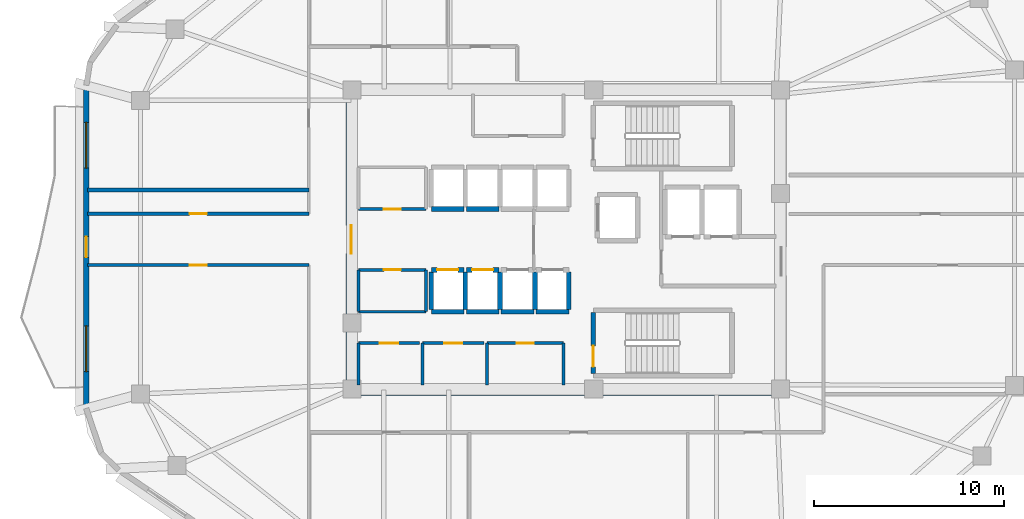
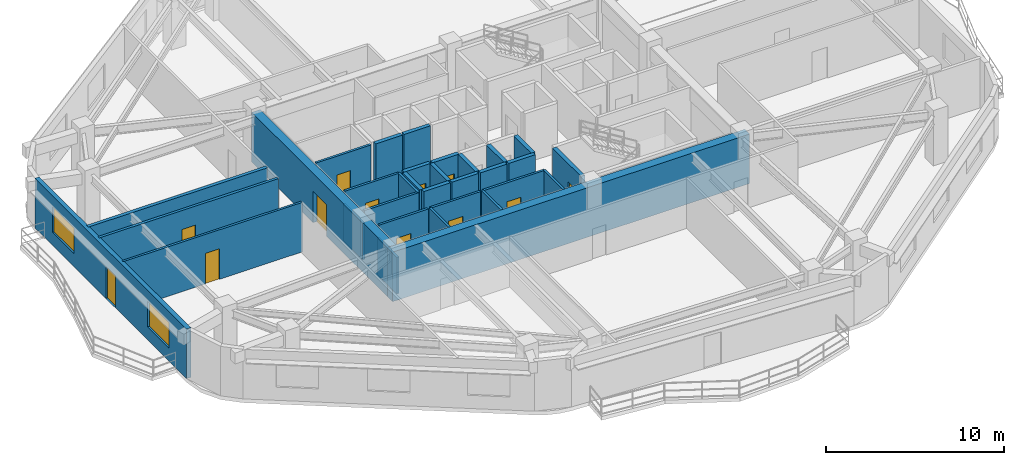
# One storey, part 8 of 14: 32 walls, 12 doors, 2 windows, 14 openings.
"""IFC4 building model written with IfcOpenShell, lengths in metres."""

import ifcopenshell
import ifcopenshell.guid

model = None  # the IFC model being written
_history = None  # IfcOwnerHistory: only IFC2X3 demands one
_inside = {}  # id of a spatial element -> (the spatial element, [elements in it])
_under = {}  # id of a project, library or spatial element -> (it, [spatial elements below it])
_declared = {}  # id of a project -> (the project, [libraries it declares])
_typed = {}  # id of a type object -> (the type object, [elements of that type])
_made_of = {}  # id of a material, layer set ... -> (it, [elements and type objects made of it])


def new_model(schema):
    """Start an empty IFC model of exactly this schema.

    Asked for "IFC4X3", IfcOpenShell would pick the latest addendum, in which some entities
    have other attributes; the version numbers below select the first issue.
    IFC2X3 requires an IfcOwnerHistory on every rooted entity: one is made here for all.
    """
    global model, _history
    if schema == "IFC4X3":
        model = ifcopenshell.file(schema_version=(4, 3, 0, 0))
    else:
        model = ifcopenshell.file(schema=schema)
    _inside.clear()
    _under.clear()
    _declared.clear()
    _typed.clear()
    _made_of.clear()
    _history = None
    if model.schema == "IFC2X3":
        org = make("IfcOrganization", Name="unknown")
        user = make(
            "IfcPersonAndOrganization",
            ThePerson=make("IfcPerson", FamilyName="unknown"),
            TheOrganization=org,
        )
        app = make(
            "IfcApplication",
            ApplicationDeveloper=org,
            Version="unknown",
            ApplicationFullName="unknown",
            ApplicationIdentifier="unknown",
        )
        _history = make(
            "IfcOwnerHistory",
            OwningUser=user,
            OwningApplication=app,
            ChangeAction="ADDED",
            CreationDate=0,
        )
    return model


def make(cls, **values):
    """One entity of the class cls with the attributes given. An attribute that is None is left unset."""
    return model.create_entity(
        cls, **{name: value for name, value in values.items() if value is not None}
    )


def rooted(cls, **values):
    """An entity with a GlobalId (a new one), such as an element, a storey or a relation."""
    return make(cls, GlobalId=ifcopenshell.guid.new(), OwnerHistory=_history, **values)


def si_unit(unit_type, name, prefix=None):
    """IfcSIUnit, for example si_unit("LENGTHUNIT", "METRE", prefix="MILLI")."""
    return make("IfcSIUnit", UnitType=unit_type, Prefix=prefix, Name=name)


def assignment(units):
    """IfcUnitAssignment: the units of a project."""
    return None if units is None else make("IfcUnitAssignment", Units=units)


def point(xyz):
    """IfcCartesianPoint."""
    return None if xyz is None else make("IfcCartesianPoint", Coordinates=xyz)


def direction(xyz):
    """IfcDirection."""
    return None if xyz is None else make("IfcDirection", DirectionRatios=xyz)


def frame(location, z_axis=None, x_axis=None):
    """IfcAxis2Placement3D, a coordinate frame: its origin and axes. An axis left out is left unset."""
    return make(
        "IfcAxis2Placement3D",
        Location=point(location),
        Axis=direction(z_axis),
        RefDirection=direction(x_axis),
    )


def frame_2d(location, x_axis=None):
    """IfcAxis2Placement2D, a coordinate frame in the plane: its origin and x axis."""
    return make(
        "IfcAxis2Placement2D", Location=point(location), RefDirection=direction(x_axis)
    )


def origin():
    """The frame at (0, 0, 0) with its axes left unset."""
    return frame((0.0, 0.0, 0.0))


def place(relative_to, where):
    """IfcLocalPlacement: puts the frame where relative to a parent placement (None: the world)."""
    return make(
        "IfcLocalPlacement", PlacementRelTo=relative_to, RelativePlacement=where
    )


def context(
    kind, dimensions, precision=None, world=None, true_north=None, identifier=None
):
    """IfcGeometricRepresentationContext, for example the 3D "Model" context."""
    return make(
        "IfcGeometricRepresentationContext",
        ContextIdentifier=identifier,
        ContextType=kind,
        CoordinateSpaceDimension=dimensions,
        Precision=precision,
        WorldCoordinateSystem=world,
        TrueNorth=true_north,
    )


def subcontext(parent, identifier, kind, view, scale=None):
    """IfcGeometricRepresentationSubContext, for example "Body" below "Model"."""
    return make(
        "IfcGeometricRepresentationSubContext",
        ContextIdentifier=identifier,
        ContextType=kind,
        ParentContext=parent,
        TargetScale=scale,
        TargetView=view,
    )


def project(units=None, contexts=None):
    """IfcProject with its units and contexts."""
    return rooted(
        "IfcProject",
        Name="project",
        RepresentationContexts=contexts,
        UnitsInContext=assignment(units),
    )


def spatial(cls, under=None, at=None, **own):
    """A site, building, storey or space (cls), placed at a placement, below another one or the project."""
    s = rooted(cls, ObjectPlacement=at, **own)
    if under is not None:
        _under.setdefault(under.id(), (under, []))[1].append(s)
    return s


def profile(cls, at=None, kind="AREA", **sizes):
    """A parametric profile (cls). Its sizes go by their IFC names, for example OverallWidth=200.0."""
    return make(cls, ProfileType=kind, Position=at, **sizes)


def rectangle(**sizes):
    """IfcRectangleProfileDef."""
    return profile("IfcRectangleProfileDef", **sizes)


def extrude(swept, where, along, depth):
    """IfcExtrudedAreaSolid: the profile swept, set in the frame where, extruded along a direction by depth."""
    return make(
        "IfcExtrudedAreaSolid",
        SweptArea=swept,
        Position=where,
        ExtrudedDirection=direction(along),
        Depth=depth,
    )


def shape(context_of_items, identifier, shape_type, items):
    """IfcShapeRepresentation: the items that make up one representation, for example the "Body"."""
    return make(
        "IfcShapeRepresentation",
        ContextOfItems=context_of_items,
        RepresentationIdentifier=identifier,
        RepresentationType=shape_type,
        Items=items,
    )


def material(Name=None, Category=None):
    """IfcMaterial."""
    return make("IfcMaterial", Name=Name, Category=Category)


def layer(
    of_material, thickness, ventilated=None, Name=None, Category=None, Priority=None
):
    """IfcMaterialLayer: one layer of a wall or slab, of a material (None: an air gap)."""
    return make(
        "IfcMaterialLayer",
        Material=of_material,
        LayerThickness=thickness,
        IsVentilated=ventilated,
        Name=Name,
        Category=Category,
        Priority=Priority,
    )


def layer_set(layers, Name=None):
    """IfcMaterialLayerSet."""
    return make("IfcMaterialLayerSet", MaterialLayers=layers, LayerSetName=Name)


def made_of(thing, what):
    """Note that an element or type object is made of a material, layer set ...; save() writes the relation."""
    if what is not None:
        _made_of.setdefault(what.id(), (what, []))[1].append(thing)
    return thing


def type_object(cls, material=None, **own):
    """A type object (cls), such as IfcWallType, which elements share."""
    return made_of(rooted(cls, **own), material)


def element(
    cls,
    number,
    at=None,
    inside=None,
    cuts=None,
    type_object=None,
    material=None,
    context=None,
    identifier="Body",
    shape_type=None,
    held_by="IfcProductDefinitionShape",
    body=None,
    shapes=None,
    **own,
):
    """One element of the class cls, such as IfcWall. Its Tag is "e" and its number.

    at: its placement. inside: the storey or other place that contains it. cuts: it is an
    opening in that element (IfcRelVoidsElement). A single representation is given by context,
    identifier, shape_type and body (its items); several are given by shapes. held_by: the class
    of the entity that holds the representations. save() writes the other relations.
    """
    e = rooted(cls, Tag="e%d" % number, ObjectPlacement=at, **own)
    if body is not None:
        shapes = [shape(context, identifier, shape_type, body)]
    if shapes is not None:
        e.Representation = make(held_by, Representations=shapes)
    if inside is not None:
        _inside.setdefault(inside.id(), (inside, []))[1].append(e)
    if cuts is not None:
        rooted(
            "IfcRelVoidsElement", RelatingBuildingElement=cuts, RelatedOpeningElement=e
        )
    if type_object is not None:
        _typed.setdefault(type_object.id(), (type_object, []))[1].append(e)
    return made_of(e, material)


def fill(opening, filler):
    """IfcRelFillsElement: the door or window that sits in an opening."""
    return rooted(
        "IfcRelFillsElement",
        RelatingOpeningElement=opening,
        RelatedBuildingElement=filler,
    )


def aggregate(whole, parts):
    """IfcRelAggregates: a whole, such as a stair, and the parts it consists of."""
    return rooted("IfcRelAggregates", RelatingObject=whole, RelatedObjects=parts)


def save(model, path):
    """Write the relations noted so far, then the file.

    IfcRelAggregates (storeys below a building ...), IfcRelContainedInSpatialStructure (elements
    in a storey), IfcRelDefinesByType, IfcRelAssociatesMaterial and IfcRelDeclares: one each for
    every whole, place, type object, material and project.
    """
    for whole, parts in _under.values():
        aggregate(whole, parts)
    for where, things in _inside.values():
        rooted(
            "IfcRelContainedInSpatialStructure",
            RelatedElements=things,
            RelatingStructure=where,
        )
    for kind, things in _typed.values():
        rooted("IfcRelDefinesByType", RelatedObjects=things, RelatingType=kind)
    for what, things in _made_of.values():
        rooted("IfcRelAssociatesMaterial", RelatedObjects=things, RelatingMaterial=what)
    for by, libraries in _declared.values():
        rooted("IfcRelDeclares", RelatingContext=by, RelatedDefinitions=libraries)
    model.write(path)


model = new_model("IFC4")

# Units and contexts
model_context = context("Model", 3, precision=1e-05, world=origin(), true_north=direction((0.0, 1.0)))
body_context = subcontext(model_context, "Body", "Model", "MODEL_VIEW")
ifc_project = project(units=[si_unit("LENGTHUNIT", "METRE"), si_unit("AREAUNIT", "SQUARE_METRE"), si_unit("VOLUMEUNIT", "CUBIC_METRE"), si_unit("PLANEANGLEUNIT", "RADIAN"), si_unit("MASSUNIT", "GRAM", prefix="KILO")], contexts=[model_context])

# Site, building, storey
site_placement = place(None, origin())
site = spatial("IfcSite", under=ifc_project, at=site_placement, CompositionType="ELEMENT")
building_placement = place(site_placement, origin())
building = spatial("IfcBuilding", under=site, at=building_placement, Name="Zulverin Broadcast Headquarters", CompositionType="ELEMENT")
storey_placement = place(building_placement, frame((0.0, 0.0, 216.199951171875)))
storey = spatial("IfcBuildingStorey", under=building, at=storey_placement, Name="L55", CompositionType="ELEMENT", Elevation=216.199951171875)

# Walls
ifc_material_1 = material(Name="Double-stud acoustic drywall", Category="gypsum")
ifc_layer_1 = layer(ifc_material_1, 0.219970703125, Name="Double-stud acoustic drywall", Category="gypsum")
ifc_layer_set_1 = layer_set([ifc_layer_1], Name="Double-stud acoustic drywall")
wall_type_1 = type_object("IfcWallType", Name="WL-ACOU-220", PredefinedType="PARTITIONING", material=ifc_layer_set_1)
wall_1_placement = place(storey_placement, frame((11.804931640625, 27.800048828125, 0.0), z_axis=(0.0, 0.0, 1.0), x_axis=(1.0, 0.0, 0.0)))
element("IfcWall", 1, at=wall_1_placement, inside=storey, type_object=wall_type_1, Name="L55 Room Partition Wall RP-14", PredefinedType="PARTITIONING", context=body_context, shape_type="SweptSolid", body=[
    extrude(rectangle(XDim=11.64501953125, YDim=0.219970703125, at=frame_2d((5.822509765625, 0.0))), origin(), (0.0, 0.0, 1.0), 3.400146484375),
])
ifc_material_2 = material(Name="Concrete C60/75", Category="concrete")
ifc_layer_2 = layer(ifc_material_2, 0.550048828125, Name="Concrete C60/75", Category="concrete")
ifc_layer_set_2 = layer_set([ifc_layer_2], Name="Concrete C60/75")
wall_type_2 = type_object("IfcWallType", Name="WL-CORE-550", PredefinedType="SHEAR", material=ifc_layer_set_2)
wall_2_placement = place(storey_placement, frame((25.39990234375, 17.27490234375, 0.0), z_axis=(0.0, 0.0, 1.0), x_axis=(1.0, 0.0, 0.0)))
element("IfcWall", 2, at=wall_2_placement, inside=storey, type_object=wall_type_2, Name="L55 Core South Shear Wall", PredefinedType="SHEAR", context=body_context, shape_type="SweptSolid", body=[
    extrude(rectangle(XDim=23.2001953125, YDim=0.550048828125, at=frame_2d((11.60009765625, 0.0))), origin(), (0.0, 0.0, 1.0), 3.400146484375),
])

# Wall, opening, door
wall_3_placement = place(storey_placement, frame((25.675048828125, 17.550048828125, 0.0), z_axis=(0.0, 0.0, 1.0), x_axis=(0.0, 1.0, 0.0)))
wall_3 = element("IfcWall", 3, at=wall_3_placement, inside=storey, type_object=wall_type_2, Name="L55 Core West Shear Wall", PredefinedType="SHEAR", context=body_context, shape_type="SweptSolid", body=[
    extrude(rectangle(XDim=15.300048828125, YDim=0.550048828125, at=frame_2d((7.64990234375, 0.0))), origin(), (0.0, 0.0, 1.0), 3.400146484375),
])
opening_1_placement = place(wall_3_placement, frame((6.89990234375, 0.0, 0.0)))
opening_1 = element("IfcOpeningElement", 4, at=opening_1_placement, cuts=wall_3, Name="Opening D-L55-CW1", PredefinedType="OPENING", context=body_context, shape_type="SweptSolid", body=[
    extrude(rectangle(XDim=1.5, YDim=2.14990234375, at=frame_2d((0.75, 1.074951171875))), frame((0.0, 0.284912109375, 0.0), z_axis=(0.0, -1.0, 0.0), x_axis=(1.0, 0.0, 0.0)), (0.0, 0.0, 1.0), 0.570068359375),
])
ifc_material_3 = material(Name="Fire-rated glazed steel frame", Category="steel")
door_type_1 = type_object("IfcDoorType", Name="DR-COR-1500", OperationType="DOUBLE_DOOR_SINGLE_SWING", PredefinedType="DOOR", material=ifc_material_3)
door_1_placement = place(opening_1_placement, origin())
door_1 = element("IfcDoor", 5, at=door_1_placement, inside=storey, type_object=door_type_1, Name="L55 Central Lift Lobby West Portal Door", OperationType="DOUBLE_DOOR_SINGLE_SWING", OverallHeight=2.14990234375, OverallWidth=1.5, PredefinedType="DOOR", context=body_context, shape_type="SweptSolid", body=[
    extrude(rectangle(XDim=1.5, YDim=2.14990234375, at=frame_2d((0.75, 1.074951171875))), frame((0.0, 0.02490234375, 0.0), z_axis=(0.0, -1.0, 0.0), x_axis=(1.0, 0.0, 0.0)), (0.0, 0.0, 1.0), 0.050048828125),
])
fill(opening_1, door_1)

# Wall, openings, door, windows
ifc_material_4 = material(Name="Insulated pale-metal clad concrete spandrel C40/50", Category="concrete")
ifc_layer_3 = layer(ifc_material_4, 0.280029296875, Name="Insulated pale-metal clad concrete spandrel C40/50", Category="concrete")
ifc_layer_set_3 = layer_set([ifc_layer_3], Name="Insulated pale-metal clad concrete spandrel C40/50")
wall_type_3 = type_object("IfcWallType", Name="WL-EXT-280", PredefinedType="STANDARD", material=ifc_layer_set_3)
wall_4_placement = place(storey_placement, frame((11.739990234375, 33.34033203125, 0.0), z_axis=(0.0, 0.0, 1.0), x_axis=(0.0, -1.0, 0.0)))
wall_4 = element("IfcWall", 6, at=wall_4_placement, inside=storey, type_object=wall_type_3, Name="L55 Pale-Metal Clad Spandrel Wall 7", PredefinedType="STANDARD", context=body_context, shape_type="SweptSolid", body=[
    extrude(rectangle(XDim=17.07275390625, YDim=0.280029296875, at=frame_2d((8.536376953125, 0.0))), origin(), (0.0, 0.0, 1.0), 3.400146484375),
])
opening_2_placement = place(wall_4_placement, frame((7.986328125, 0.0, 0.0)))
opening_2 = element("IfcOpeningElement", 7, at=opening_2_placement, cuts=wall_4, Name="Opening D-L55-TR7", PredefinedType="OPENING", context=body_context, shape_type="SweptSolid", body=[
    extrude(rectangle(XDim=1.10009765625, YDim=2.199951171875, at=frame_2d((0.550048828125, 1.10009765625))), frame((0.0, 0.14990234375, 0.0), z_axis=(0.0, -1.0, 0.0), x_axis=(1.0, 0.0, 0.0)), (0.0, 0.0, 1.0), 0.300048828125),
])
opening_3_placement = place(wall_4_placement, frame((1.978759765625, 0.0, 0.89990234375)))
opening_3 = element("IfcOpeningElement", 8, at=opening_3_placement, cuts=wall_4, Name="Opening W-L55-E71", PredefinedType="OPENING", context=body_context, shape_type="SweptSolid", body=[
    extrude(rectangle(XDim=2.39990234375, YDim=1.75, at=frame_2d((1.199951171875, 0.875))), frame((0.0, 0.14990234375, 0.0), z_axis=(0.0, -1.0, 0.0), x_axis=(1.0, 0.0, 0.0)), (0.0, 0.0, 1.0), 0.300048828125),
])
opening_4_placement = place(wall_4_placement, frame((12.69384765625, 0.0, 0.89990234375)))
opening_4 = element("IfcOpeningElement", 9, at=opening_4_placement, cuts=wall_4, Name="Opening W-L55-E72", PredefinedType="OPENING", context=body_context, shape_type="SweptSolid", body=[
    extrude(rectangle(XDim=2.39990234375, YDim=1.75, at=frame_2d((1.199951171875, 0.875))), frame((0.0, 0.14990234375, 0.0), z_axis=(0.0, -1.0, 0.0), x_axis=(1.0, 0.0, 0.0)), (0.0, 0.0, 1.0), 0.300048828125),
])
ifc_material_5 = material(Name="Thermally broken aluminium glazed", Category="aluminium")
door_type_2 = type_object("IfcDoorType", Name="DR-TERR-1100", OperationType="SINGLE_SWING_RIGHT", PredefinedType="DOOR", material=ifc_material_5)
door_2_placement = place(opening_2_placement, origin())
door_2 = element("IfcDoor", 10, at=door_2_placement, inside=storey, type_object=door_type_2, Name="L55 Planted Terrace Glazed Access Door 7", OperationType="SINGLE_SWING_RIGHT", OverallHeight=2.199951171875, OverallWidth=1.10009765625, PredefinedType="DOOR", context=body_context, shape_type="SweptSolid", body=[
    extrude(rectangle(XDim=1.10009765625, YDim=2.199951171875, at=frame_2d((0.550048828125, 1.10009765625))), frame((0.0, 0.02490234375, 0.0), z_axis=(0.0, -1.0, 0.0), x_axis=(1.0, 0.0, 0.0)), (0.0, 0.0, 1.0), 0.050048828125),
])
fill(opening_2, door_2)
ifc_material_6 = material(Name="Pale anodized aluminium frame with solar-control low-E double glazing", Category="aluminium")
window_type = type_object("IfcWindowType", Name="WIN-RIB-2400", PartitioningType="SINGLE_PANEL", PredefinedType="WINDOW", material=ifc_material_6)
window_1_placement = place(opening_3_placement, origin())
window_1 = element("IfcWindow", 11, at=window_1_placement, inside=storey, type_object=window_type, Name="L55 Ribbon Glazing Window 7 1", OverallHeight=1.75, OverallWidth=2.39990234375, PartitioningType="SINGLE_PANEL", PredefinedType="WINDOW", context=body_context, shape_type="SweptSolid", body=[
    extrude(rectangle(XDim=2.39990234375, YDim=1.75, at=frame_2d((1.199951171875, 0.875))), frame((0.0, 0.030029296875, 0.0), z_axis=(0.0, -1.0, 0.0), x_axis=(1.0, 0.0, 0.0)), (0.0, 0.0, 1.0), 0.06005859375),
])
fill(opening_3, window_1)
window_2_placement = place(opening_4_placement, origin())
window_2 = element("IfcWindow", 12, at=window_2_placement, inside=storey, type_object=window_type, Name="L55 Ribbon Glazing Window 7 2", OverallHeight=1.75, OverallWidth=2.39990234375, PartitioningType="SINGLE_PANEL", PredefinedType="WINDOW", context=body_context, shape_type="SweptSolid", body=[
    extrude(rectangle(XDim=2.39990234375, YDim=1.75, at=frame_2d((1.199951171875, 0.875))), frame((0.0, 0.030029296875, 0.0), z_axis=(0.0, -1.0, 0.0), x_axis=(1.0, 0.0, 0.0)), (0.0, 0.0, 1.0), 0.06005859375),
])
fill(opening_4, window_2)

# Wall, opening, door
ifc_material_7 = material(Name="Fire-rated gypsum stud partition", Category="gypsum")
ifc_layer_4 = layer(ifc_material_7, 0.14990234375, Name="Fire-rated gypsum stud partition", Category="gypsum")
ifc_layer_set_4 = layer_set([ifc_layer_4], Name="Fire-rated gypsum stud partition")
wall_type_4 = type_object("IfcWallType", Name="WL-PART-150", PredefinedType="PARTITIONING", material=ifc_layer_set_4)
wall_5_placement = place(storey_placement, frame((26.070068359375, 19.75, 0.0), z_axis=(0.0, 0.0, 1.0), x_axis=(1.0, 0.0, 0.0)))
wall_5 = element("IfcWall", 13, at=wall_5_placement, inside=storey, type_object=wall_type_4, Name="L55 Core Male WC Front Wall", PredefinedType="PARTITIONING", context=body_context, shape_type="SweptSolid", body=[
    extrude(rectangle(XDim=3.199951171875, YDim=0.14990234375, at=frame_2d((1.60009765625, 0.0))), origin(), (0.0, 0.0, 1.0), 3.400146484375),
])
opening_5_placement = place(wall_5_placement, frame((1.125, 0.0, 0.0)))
opening_5 = element("IfcOpeningElement", 14, at=opening_5_placement, cuts=wall_5, Name="Opening D-L55-SC1", PredefinedType="OPENING", context=body_context, shape_type="SweptSolid", body=[
    extrude(rectangle(XDim=0.949951171875, YDim=2.10009765625, at=frame_2d((0.47509765625, 1.050048828125))), frame((0.0, 0.0849609375, 0.0), z_axis=(0.0, -1.0, 0.0), x_axis=(1.0, 0.0, 0.0)), (0.0, 0.0, 1.0), 0.169921875),
])
ifc_material_8 = material(Name="Fire-rated moisture-resistant laminate leaf", Category="wood")
door_type_3 = type_object("IfcDoorType", Name="DR-WC-950", OperationType="SINGLE_SWING_LEFT", PredefinedType="DOOR", material=ifc_material_8)
door_3_placement = place(opening_5_placement, origin())
door_3 = element("IfcDoor", 15, at=door_3_placement, inside=storey, type_object=door_type_3, Name="L55 Male WC Door", OperationType="SINGLE_SWING_RIGHT", OverallHeight=2.10009765625, OverallWidth=0.949951171875, PredefinedType="DOOR", context=body_context, shape_type="SweptSolid", body=[
    extrude(rectangle(XDim=0.949951171875, YDim=2.10009765625, at=frame_2d((0.47509765625, 1.050048828125))), frame((0.0, 0.02490234375, 0.0), z_axis=(0.0, -1.0, 0.0), x_axis=(1.0, 0.0, 0.0)), (0.0, 0.0, 1.0), 0.050048828125),
])
fill(opening_5, door_3)

# Wall
wall_6_placement = place(storey_placement, frame((26.070068359375, 17.550048828125, 0.0), z_axis=(0.0, 0.0, 1.0), x_axis=(0.0, 1.0, 0.0)))
element("IfcWall", 16, at=wall_6_placement, inside=storey, type_object=wall_type_4, Name="L55 Core Male WC West Wall", PredefinedType="PARTITIONING", context=body_context, shape_type="SweptSolid", body=[
    extrude(rectangle(XDim=2.199951171875, YDim=0.14990234375, at=frame_2d((1.10009765625, 0.0))), origin(), (0.0, 0.0, 1.0), 2.5),
])

# Wall, opening, door
wall_7_placement = place(storey_placement, frame((29.429931640625, 19.75, 0.0), z_axis=(0.0, 0.0, 1.0), x_axis=(1.0, 0.0, 0.0)))
wall_7 = element("IfcWall", 17, at=wall_7_placement, inside=storey, type_object=wall_type_4, Name="L55 Core Female WC Front Wall", PredefinedType="PARTITIONING", context=body_context, shape_type="SweptSolid", body=[
    extrude(rectangle(XDim=3.239990234375, YDim=0.14990234375, at=frame_2d((1.6201171875, 0.0))), origin(), (0.0, 0.0, 1.0), 3.400146484375),
])
opening_6_placement = place(wall_7_placement, frame((1.14501953125, 0.0, 0.0)))
opening_6 = element("IfcOpeningElement", 18, at=opening_6_placement, cuts=wall_7, Name="Opening D-L55-SC2", PredefinedType="OPENING", context=body_context, shape_type="SweptSolid", body=[
    extrude(rectangle(XDim=0.949951171875, YDim=2.10009765625, at=frame_2d((0.47509765625, 1.050048828125))), frame((0.0, 0.0849609375, 0.0), z_axis=(0.0, -1.0, 0.0), x_axis=(1.0, 0.0, 0.0)), (0.0, 0.0, 1.0), 0.169921875),
])
door_4_placement = place(opening_6_placement, origin())
door_4 = element("IfcDoor", 19, at=door_4_placement, inside=storey, type_object=door_type_3, Name="L55 Female WC Door", OperationType="SINGLE_SWING_LEFT", OverallHeight=2.10009765625, OverallWidth=0.949951171875, PredefinedType="DOOR", context=body_context, shape_type="SweptSolid", body=[
    extrude(rectangle(XDim=0.949951171875, YDim=2.10009765625, at=frame_2d((0.47509765625, 1.050048828125))), frame((0.0, 0.02490234375, 0.0), z_axis=(0.0, -1.0, 0.0), x_axis=(1.0, 0.0, 0.0)), (0.0, 0.0, 1.0), 0.050048828125),
])
fill(opening_6, door_4)

# Wall
wall_8_placement = place(storey_placement, frame((29.429931640625, 17.550048828125, 0.0), z_axis=(0.0, 0.0, 1.0), x_axis=(0.0, 1.0, 0.0)))
element("IfcWall", 20, at=wall_8_placement, inside=storey, type_object=wall_type_4, Name="L55 Core Female WC West Wall", PredefinedType="PARTITIONING", context=body_context, shape_type="SweptSolid", body=[
    extrude(rectangle(XDim=2.199951171875, YDim=0.14990234375, at=frame_2d((1.10009765625, 0.0))), origin(), (0.0, 0.0, 1.0), 3.400146484375),
])

# Wall, opening, door
wall_9_placement = place(storey_placement, frame((32.830078125, 19.75, 0.0), z_axis=(0.0, 0.0, 1.0), x_axis=(1.0, 0.0, 0.0)))
wall_9 = element("IfcWall", 21, at=wall_9_placement, inside=storey, type_object=wall_type_4, Name="L55 Core Cleaner Store Front Wall", PredefinedType="PARTITIONING", context=body_context, shape_type="SweptSolid", body=[
    extrude(rectangle(XDim=4.02001953125, YDim=0.14990234375, at=frame_2d((2.010009765625, 0.0))), origin(), (0.0, 0.0, 1.0), 3.400146484375),
])
opening_7_placement = place(wall_9_placement, frame((1.56005859375, 0.0, 0.0)))
opening_7 = element("IfcOpeningElement", 22, at=opening_7_placement, cuts=wall_9, Name="Opening D-L55-SC3", PredefinedType="OPENING", context=body_context, shape_type="SweptSolid", body=[
    extrude(rectangle(XDim=0.89990234375, YDim=2.10009765625, at=frame_2d((0.449951171875, 1.050048828125))), frame((0.0, 0.0849609375, 0.0), z_axis=(0.0, -1.0, 0.0), x_axis=(1.0, 0.0, 0.0)), (0.0, 0.0, 1.0), 0.169921875),
])
ifc_material_9 = material(Name="Powder-coated steel access leaf", Category="steel")
door_type_4 = type_object("IfcDoorType", Name="DR-RISER-900", OperationType="SINGLE_SWING_LEFT", PredefinedType="DOOR", material=ifc_material_9)
door_5_placement = place(opening_7_placement, origin())
door_5 = element("IfcDoor", 23, at=door_5_placement, inside=storey, type_object=door_type_4, Name="L55 Cleaner Store Door", OperationType="SINGLE_SWING_RIGHT", OverallHeight=2.10009765625, OverallWidth=0.89990234375, PredefinedType="DOOR", context=body_context, shape_type="SweptSolid", body=[
    extrude(rectangle(XDim=0.89990234375, YDim=2.10009765625, at=frame_2d((0.449951171875, 1.050048828125))), frame((0.0, 0.02490234375, 0.0), z_axis=(0.0, -1.0, 0.0), x_axis=(1.0, 0.0, 0.0)), (0.0, 0.0, 1.0), 0.050048828125),
])
fill(opening_7, door_5)

# Walls
for number, where, z_axis, x_axis, name in (
    (24, (32.830078125, 17.550048828125, 0.0), (0.0, 0.0, 1.0), (0.0, 1.0, 0.0), "L55 Core Cleaner Store West Wall"),
    (25, (36.85009765625, 17.550048828125, 0.0), (0.0, 0.0, 1.0), (0.0, 1.0, 0.0), "L55 Core Cleaner Store East Wall"),
):
    element("IfcWall", number, at=place(storey_placement, frame(where, z_axis=z_axis, x_axis=x_axis)), inside=storey, type_object=wall_type_4, Name=name, PredefinedType="PARTITIONING", context=body_context, shape_type="SweptSolid", body=[
        extrude(rectangle(XDim=2.199951171875, YDim=0.14990234375, at=frame_2d((1.10009765625, 0.0))), origin(), (0.0, 0.0, 1.0), 3.400146484375),
    ])

# Wall, opening, door
wall_10_placement = place(storey_placement, frame((26.070068359375, 26.800048828125, 0.0), z_axis=(0.0, 0.0, 1.0), x_axis=(1.0, 0.0, 0.0)))
wall_10 = element("IfcWall", 26, at=wall_10_placement, inside=storey, type_object=wall_type_4, Name="L55 Broadcast Signal Patch Room S Wall", PredefinedType="PARTITIONING", context=body_context, shape_type="SweptSolid", body=[
    extrude(rectangle(XDim=3.550048828125, YDim=0.14990234375, at=frame_2d((1.77490234375, 0.0))), origin(), (0.0, 0.0, 1.0), 3.400146484375),
])
opening_8_placement = place(wall_10_placement, frame((1.324951171875, 0.0, 0.0)))
opening_8 = element("IfcOpeningElement", 27, at=opening_8_placement, cuts=wall_10, Name="Opening D-L55-RCLN", PredefinedType="OPENING", context=body_context, shape_type="SweptSolid", body=[
    extrude(rectangle(XDim=0.89990234375, YDim=2.10009765625, at=frame_2d((0.449951171875, 1.050048828125))), frame((0.0, 0.0849609375, 0.0), z_axis=(0.0, -1.0, 0.0), x_axis=(1.0, 0.0, 0.0)), (0.0, 0.0, 1.0), 0.169921875),
])
door_6_placement = place(opening_8_placement, origin())
door_6 = element("IfcDoor", 28, at=door_6_placement, inside=storey, type_object=door_type_4, Name="L55 Broadcast Signal Patch Room Door", OperationType="SINGLE_SWING_LEFT", OverallHeight=2.10009765625, OverallWidth=0.89990234375, PredefinedType="DOOR", context=body_context, shape_type="SweptSolid", body=[
    extrude(rectangle(XDim=0.89990234375, YDim=2.10009765625, at=frame_2d((0.449951171875, 1.050048828125))), frame((0.0, 0.02490234375, 0.0), z_axis=(0.0, -1.0, 0.0), x_axis=(1.0, 0.0, 0.0)), (0.0, 0.0, 1.0), 0.050048828125),
])
fill(opening_8, door_6)

# Wall
wall_11_placement = place(storey_placement, frame((26.070068359375, 21.39990234375, 0.0), z_axis=(0.0, 0.0, 1.0), x_axis=(1.0, 0.0, 0.0)))
element("IfcWall", 29, at=wall_11_placement, inside=storey, type_object=wall_type_4, Name="L55 Housekeeping Equipment Store S Wall", PredefinedType="PARTITIONING", context=body_context, shape_type="SweptSolid", body=[
    extrude(rectangle(XDim=3.550048828125, YDim=0.14990234375, at=frame_2d((1.77490234375, 0.0))), origin(), (0.0, 0.0, 1.0), 3.400146484375),
])

# Wall, opening, door
wall_12_placement = place(storey_placement, frame((26.070068359375, 23.60009765625, 0.0), z_axis=(0.0, 0.0, 1.0), x_axis=(1.0, 0.0, 0.0)))
wall_12 = element("IfcWall", 30, at=wall_12_placement, inside=storey, type_object=wall_type_4, Name="L55 Housekeeping Equipment Store N Wall", PredefinedType="PARTITIONING", context=body_context, shape_type="SweptSolid", body=[
    extrude(rectangle(XDim=3.550048828125, YDim=0.14990234375, at=frame_2d((1.77490234375, 0.0))), origin(), (0.0, 0.0, 1.0), 3.400146484375),
])
opening_9_placement = place(wall_12_placement, frame((1.324951171875, 0.0, 0.0)))
opening_9 = element("IfcOpeningElement", 31, at=opening_9_placement, cuts=wall_12, Name="Opening D-L55-RCLS", PredefinedType="OPENING", context=body_context, shape_type="SweptSolid", body=[
    extrude(rectangle(XDim=0.89990234375, YDim=2.10009765625, at=frame_2d((0.449951171875, 1.050048828125))), frame((0.0, 0.0849609375, 0.0), z_axis=(0.0, -1.0, 0.0), x_axis=(1.0, 0.0, 0.0)), (0.0, 0.0, 1.0), 0.169921875),
])
door_7_placement = place(opening_9_placement, origin())
door_7 = element("IfcDoor", 32, at=door_7_placement, inside=storey, type_object=door_type_4, Name="L55 Housekeeping Equipment Store Door", OperationType="SINGLE_SWING_RIGHT", OverallHeight=2.10009765625, OverallWidth=0.89990234375, PredefinedType="DOOR", context=body_context, shape_type="SweptSolid", body=[
    extrude(rectangle(XDim=0.89990234375, YDim=2.10009765625, at=frame_2d((0.449951171875, 1.050048828125))), frame((0.0, 0.02490234375, 0.0), z_axis=(0.0, -1.0, 0.0), x_axis=(1.0, 0.0, 0.0)), (0.0, 0.0, 1.0), 0.050048828125),
])
fill(opening_9, door_7)

# Walls
wall_13_placement = place(storey_placement, frame((26.070068359375, 21.39990234375, 0.0), z_axis=(0.0, 0.0, 1.0), x_axis=(0.0, 1.0, 0.0)))
element("IfcWall", 33, at=wall_13_placement, inside=storey, type_object=wall_type_4, Name="L55 Housekeeping Equipment Store W Wall", PredefinedType="PARTITIONING", context=body_context, shape_type="SweptSolid", body=[
    extrude(rectangle(XDim=2.2001953125, YDim=0.14990234375, at=frame_2d((1.10009765625, 0.0))), origin(), (0.0, 0.0, 1.0), 2.5),
])
wall_14_placement = place(storey_placement, frame((29.6201171875, 21.39990234375, 0.0), z_axis=(0.0, 0.0, 1.0), x_axis=(0.0, 1.0, 0.0)))
element("IfcWall", 34, at=wall_14_placement, inside=storey, type_object=wall_type_4, Name="L55 Housekeeping Equipment Store E Wall", PredefinedType="PARTITIONING", context=body_context, shape_type="SweptSolid", body=[
    extrude(rectangle(XDim=2.2001953125, YDim=0.14990234375, at=frame_2d((1.10009765625, 0.0))), origin(), (0.0, 0.0, 1.0), 3.400146484375),
])

# Wall, opening, door
wall_15_placement = place(storey_placement, frame((11.804931640625, 23.85009765625, 0.0), z_axis=(0.0, 0.0, 1.0), x_axis=(1.0, 0.0, 0.0)))
wall_15 = element("IfcWall", 35, at=wall_15_placement, inside=storey, type_object=wall_type_4, Name="L55 Gallery Partition Wall CG-10", PredefinedType="PARTITIONING", context=body_context, shape_type="SweptSolid", body=[
    extrude(rectangle(XDim=11.64501953125, YDim=0.14990234375, at=frame_2d((5.822509765625, 0.0))), origin(), (0.0, 0.0, 1.0), 3.400146484375),
])
opening_10_placement = place(wall_15_placement, frame((5.37255859375, 0.0, 0.0)))
opening_10 = element("IfcOpeningElement", 36, at=opening_10_placement, cuts=wall_15, Name="Opening D-L55-06", PredefinedType="OPENING", context=body_context, shape_type="SweptSolid", body=[
    extrude(rectangle(XDim=0.89990234375, YDim=2.10009765625, at=frame_2d((0.449951171875, 1.050048828125))), frame((0.0, 0.0849609375, 0.0), z_axis=(0.0, -1.0, 0.0), x_axis=(1.0, 0.0, 0.0)), (0.0, 0.0, 1.0), 0.169921875),
])
ifc_material_10 = material(Name="Fire-rated hardwood veneer timber leaf", Category="wood")
door_type_5 = type_object("IfcDoorType", Name="DR-ROOM-900", OperationType="SINGLE_SWING_RIGHT", PredefinedType="DOOR", material=ifc_material_10)
door_8_placement = place(opening_10_placement, origin())
door_8 = element("IfcDoor", 37, at=door_8_placement, inside=storey, type_object=door_type_5, Name="L55 Coffee Bar Door", OperationType="SINGLE_SWING_LEFT", OverallHeight=2.10009765625, OverallWidth=0.89990234375, PredefinedType="DOOR", context=body_context, shape_type="SweptSolid", body=[
    extrude(rectangle(XDim=0.89990234375, YDim=2.10009765625, at=frame_2d((0.449951171875, 1.050048828125))), frame((0.0, 0.02490234375, 0.0), z_axis=(0.0, -1.0, 0.0), x_axis=(1.0, 0.0, 0.0)), (0.0, 0.0, 1.0), 0.050048828125),
])
fill(opening_10, door_8)

ifc_material_11 = material(Name="Fire-rated acoustic stud wall", Category="gypsum")
ifc_layer_5 = layer(ifc_material_11, 0.175048828125, Name="Fire-rated acoustic stud wall", Category="gypsum")
ifc_layer_set_5 = layer_set([ifc_layer_5], Name="Fire-rated acoustic stud wall")
wall_type_5 = type_object("IfcWallType", Name="WL-PART-175", PredefinedType="PARTITIONING", material=ifc_layer_set_5)
wall_16_placement = place(storey_placement, frame((11.804931640625, 26.550048828125, 0.0), z_axis=(0.0, 0.0, 1.0), x_axis=(1.0, 0.0, 0.0)))
wall_16 = element("IfcWall", 38, at=wall_16_placement, inside=storey, type_object=wall_type_5, Name="L55 Gallery Partition Wall CG-12", PredefinedType="PARTITIONING", context=body_context, shape_type="SweptSolid", body=[
    extrude(rectangle(XDim=11.64501953125, YDim=0.175048828125, at=frame_2d((5.822509765625, 0.0))), origin(), (0.0, 0.0, 1.0), 3.400146484375),
])
opening_11_placement = place(wall_16_placement, frame((5.37255859375, 0.0, 0.0)))
opening_11 = element("IfcOpeningElement", 39, at=opening_11_placement, cuts=wall_16, Name="Opening D-L55-07", PredefinedType="OPENING", context=body_context, shape_type="SweptSolid", body=[
    extrude(rectangle(XDim=0.89990234375, YDim=2.10009765625, at=frame_2d((0.449951171875, 1.050048828125))), frame((0.0, 0.097412109375, 0.0), z_axis=(0.0, -1.0, 0.0), x_axis=(1.0, 0.0, 0.0)), (0.0, 0.0, 1.0), 0.195068359375),
])
door_9_placement = place(opening_11_placement, origin())
door_9 = element("IfcDoor", 40, at=door_9_placement, inside=storey, type_object=door_type_5, Name="L55 Main Catering Servery Door", OperationType="SINGLE_SWING_RIGHT", OverallHeight=2.10009765625, OverallWidth=0.89990234375, PredefinedType="DOOR", context=body_context, shape_type="SweptSolid", body=[
    extrude(rectangle(XDim=0.89990234375, YDim=2.10009765625, at=frame_2d((0.449951171875, 1.050048828125))), frame((0.0, 0.02490234375, 0.0), z_axis=(0.0, -1.0, 0.0), x_axis=(1.0, 0.0, 0.0)), (0.0, 0.0, 1.0), 0.050048828125),
])
fill(opening_11, door_9)

ifc_material_12 = material(Name="Concrete C50/60", Category="concrete")
ifc_layer_6 = layer(ifc_material_12, 0.25, Name="Concrete C50/60", Category="concrete")
ifc_layer_set_6 = layer_set([ifc_layer_6], Name="Concrete C50/60")
wall_type_6 = type_object("IfcWallType", Name="WL-SHAFT-250", PredefinedType="SHEAR", material=ifc_layer_set_6)
wall_17_placement = place(storey_placement, frame((38.425048828125, 18.14990234375, 0.0), z_axis=(0.0, 0.0, 1.0), x_axis=(0.0, 1.0, 0.0)))
wall_17 = element("IfcWall", 41, at=wall_17_placement, inside=storey, type_object=wall_type_6, Name="L55 ST-2 Enclosure Wall W", PredefinedType="SHEAR", context=body_context, shape_type="SweptSolid", body=[
    extrude(rectangle(XDim=3.2001953125, YDim=0.25, at=frame_2d((1.60009765625, 0.0))), origin(), (0.0, 0.0, 1.0), 3.400146484375),
])
opening_12_placement = place(wall_17_placement, frame((0.35009765625, 0.0, 0.0)))
opening_12 = element("IfcOpeningElement", 42, at=opening_12_placement, cuts=wall_17, Name="Opening D-L55-ST-2", PredefinedType="OPENING", context=body_context, shape_type="SweptSolid", body=[
    extrude(rectangle(XDim=1.10009765625, YDim=2.14990234375, at=frame_2d((0.550048828125, 1.074951171875))), frame((0.0, 0.135009765625, 0.0), z_axis=(0.0, -1.0, 0.0), x_axis=(1.0, 0.0, 0.0)), (0.0, 0.0, 1.0), 0.27001953125),
])
ifc_material_13 = material(Name="Fire-rated steel leaf and frame", Category="steel")
door_type_6 = type_object("IfcDoorType", Name="DR-STAIR-1100", OperationType="SINGLE_SWING_LEFT", PredefinedType="DOOR", material=ifc_material_13)
door_10_placement = place(opening_12_placement, origin())
door_10 = element("IfcDoor", 43, at=door_10_placement, inside=storey, type_object=door_type_6, Name="L55 Exit Stair ST-2 Fire Door", OperationType="SINGLE_SWING_RIGHT", OverallHeight=2.14990234375, OverallWidth=1.10009765625, PredefinedType="DOOR", context=body_context, shape_type="SweptSolid", body=[
    extrude(rectangle(XDim=1.10009765625, YDim=2.14990234375, at=frame_2d((0.550048828125, 1.074951171875))), frame((0.0, 0.02490234375, 0.0), z_axis=(0.0, -1.0, 0.0), x_axis=(1.0, 0.0, 0.0)), (0.0, 0.0, 1.0), 0.050048828125),
])
fill(opening_12, door_10)

# Wall
wall_18_placement = place(storey_placement, frame((29.89990234375, 21.39990234375, 0.0), z_axis=(0.0, 0.0, 1.0), x_axis=(1.0, 0.0, 0.0)))
element("IfcWall", 44, at=wall_18_placement, inside=storey, type_object=wall_type_6, Name="L55 Lift PL-M1 Shaft Wall S", PredefinedType="SHEAR", context=body_context, shape_type="SweptSolid", body=[
    extrude(rectangle(XDim=1.72021484375, YDim=0.25, at=frame_2d((0.860107421875, 0.0))), origin(), (0.0, 0.0, 1.0), 3.400146484375),
])

# Wall, opening, door
wall_19_placement = place(storey_placement, frame((29.89990234375, 23.60009765625, 0.0), z_axis=(0.0, 0.0, 1.0), x_axis=(1.0, 0.0, 0.0)))
wall_19 = element("IfcWall", 45, at=wall_19_placement, inside=storey, type_object=wall_type_6, Name="L55 Lift PL-M1 Shaft Wall N", PredefinedType="SHEAR", context=body_context, shape_type="SweptSolid", body=[
    extrude(rectangle(XDim=1.72021484375, YDim=0.25, at=frame_2d((0.860107421875, 0.0))), origin(), (0.0, 0.0, 1.0), 3.400146484375),
])
opening_13_placement = place(wall_19_placement, frame((0.31005859375, 0.0, 0.0)))
opening_13 = element("IfcOpeningElement", 46, at=opening_13_placement, cuts=wall_19, Name="Opening LD-PL-M1-L55", PredefinedType="OPENING", context=body_context, shape_type="SweptSolid", body=[
    extrude(rectangle(XDim=1.10009765625, YDim=2.14990234375, at=frame_2d((0.550048828125, 1.074951171875))), frame((0.0, 0.135009765625, 0.0), z_axis=(0.0, -1.0, 0.0), x_axis=(1.0, 0.0, 0.0)), (0.0, 0.0, 1.0), 0.27001953125),
])
ifc_material_14 = material(Name="Brushed stainless steel landing", Category="steel")
door_type_7 = type_object("IfcDoorType", Name="LD-PASS-1100", OperationType="DOUBLE_DOOR_SLIDING", PredefinedType="DOOR", material=ifc_material_14)
door_11_placement = place(opening_13_placement, origin())
door_11 = element("IfcDoor", 47, at=door_11_placement, inside=storey, type_object=door_type_7, Name="L55 Lift PL-M1 Sliding Landing Door", OperationType="DOUBLE_DOOR_SLIDING", OverallHeight=2.14990234375, OverallWidth=1.10009765625, PredefinedType="DOOR", context=body_context, shape_type="SweptSolid", body=[
    extrude(rectangle(XDim=1.10009765625, YDim=2.14990234375, at=frame_2d((0.550048828125, 1.074951171875))), frame((0.0, 0.02490234375, 0.0), z_axis=(0.0, -1.0, 0.0), x_axis=(1.0, 0.0, 0.0)), (0.0, 0.0, 1.0), 0.050048828125),
])
fill(opening_13, door_11)

# Walls
for number, where, z_axis, x_axis, name in (
    (48, (29.89990234375, 21.52001953125, 0.0), (0.0, 0.0, 1.0), (0.0, 1.0, 0.0), "L55 Lift PL-M1 Shaft Wall W"),
    (49, (31.679931640625, 21.52001953125, 0.0), (0.0, 0.0, 1.0), (0.0, 1.0, 0.0), "L55 Lift PL-M1 Shaft Wall E"),
):
    element("IfcWall", number, at=place(storey_placement, frame(where, z_axis=z_axis, x_axis=x_axis)), inside=storey, type_object=wall_type_6, Name=name, PredefinedType="SHEAR", context=body_context, shape_type="SweptSolid", body=[
        extrude(rectangle(XDim=1.9599609375, YDim=0.25, at=frame_2d((0.97998046875, 0.0))), origin(), (0.0, 0.0, 1.0), 3.400146484375),
    ])
wall_20_placement = place(storey_placement, frame((31.739990234375, 21.39990234375, 0.0), z_axis=(0.0, 0.0, 1.0), x_axis=(1.0, 0.0, 0.0)))
element("IfcWall", 50, at=wall_20_placement, inside=storey, type_object=wall_type_6, Name="L55 Lift PL-M2 Shaft Wall S", PredefinedType="SHEAR", context=body_context, shape_type="SweptSolid", body=[
    extrude(rectangle(XDim=1.719970703125, YDim=0.25, at=frame_2d((0.85986328125, 0.0))), origin(), (0.0, 0.0, 1.0), 3.400146484375),
])

# Wall, opening, door
wall_21_placement = place(storey_placement, frame((31.739990234375, 23.60009765625, 0.0), z_axis=(0.0, 0.0, 1.0), x_axis=(1.0, 0.0, 0.0)))
wall_21 = element("IfcWall", 51, at=wall_21_placement, inside=storey, type_object=wall_type_6, Name="L55 Lift PL-M2 Shaft Wall N", PredefinedType="SHEAR", context=body_context, shape_type="SweptSolid", body=[
    extrude(rectangle(XDim=1.719970703125, YDim=0.25, at=frame_2d((0.85986328125, 0.0))), origin(), (0.0, 0.0, 1.0), 3.400146484375),
])
opening_14_placement = place(wall_21_placement, frame((0.31005859375, 0.0, 0.0)))
opening_14 = element("IfcOpeningElement", 52, at=opening_14_placement, cuts=wall_21, Name="Opening LD-PL-M2-L55", PredefinedType="OPENING", context=body_context, shape_type="SweptSolid", body=[
    extrude(rectangle(XDim=1.10009765625, YDim=2.14990234375, at=frame_2d((0.550048828125, 1.074951171875))), frame((0.0, 0.135009765625, 0.0), z_axis=(0.0, -1.0, 0.0), x_axis=(1.0, 0.0, 0.0)), (0.0, 0.0, 1.0), 0.27001953125),
])
door_12_placement = place(opening_14_placement, origin())
door_12 = element("IfcDoor", 53, at=door_12_placement, inside=storey, type_object=door_type_7, Name="L55 Lift PL-M2 Sliding Landing Door", OperationType="DOUBLE_DOOR_SLIDING", OverallHeight=2.14990234375, OverallWidth=1.10009765625, PredefinedType="DOOR", context=body_context, shape_type="SweptSolid", body=[
    extrude(rectangle(XDim=1.10009765625, YDim=2.14990234375, at=frame_2d((0.550048828125, 1.074951171875))), frame((0.0, 0.02490234375, 0.0), z_axis=(0.0, -1.0, 0.0), x_axis=(1.0, 0.0, 0.0)), (0.0, 0.0, 1.0), 0.050048828125),
])
fill(opening_14, door_12)

# Walls
wall_22_placement = place(storey_placement, frame((33.52001953125, 21.52001953125, 0.0), z_axis=(0.0, 0.0, 1.0), x_axis=(0.0, 1.0, 0.0)))
element("IfcWall", 54, at=wall_22_placement, inside=storey, type_object=wall_type_6, Name="L55 Lift PL-M2 Shaft Wall E", PredefinedType="SHEAR", context=body_context, shape_type="SweptSolid", body=[
    extrude(rectangle(XDim=1.9599609375, YDim=0.25, at=frame_2d((0.97998046875, 0.0))), origin(), (0.0, 0.0, 1.0), 3.400146484375),
])
wall_23_placement = place(storey_placement, frame((33.580078125, 21.39990234375, 0.0), z_axis=(0.0, 0.0, 1.0), x_axis=(1.0, 0.0, 0.0)))
element("IfcWall", 55, at=wall_23_placement, inside=storey, type_object=wall_type_6, Name="L55 Lift PL-M3 Shaft Wall S", PredefinedType="SHEAR", context=body_context, shape_type="SweptSolid", body=[
    extrude(rectangle(XDim=1.719970703125, YDim=0.25, at=frame_2d((0.85986328125, 0.0))), origin(), (0.0, 0.0, 1.0), 3.400146484375),
])
wall_24_placement = place(storey_placement, frame((35.360107421875, 21.52001953125, 0.0), z_axis=(0.0, 0.0, 1.0), x_axis=(0.0, 1.0, 0.0)))
element("IfcWall", 56, at=wall_24_placement, inside=storey, type_object=wall_type_6, Name="L55 Lift PL-M3 Shaft Wall E", PredefinedType="SHEAR", context=body_context, shape_type="SweptSolid", body=[
    extrude(rectangle(XDim=1.9599609375, YDim=0.25, at=frame_2d((0.97998046875, 0.0))), origin(), (0.0, 0.0, 1.0), 3.400146484375),
])
wall_25_placement = place(storey_placement, frame((35.419921875, 21.39990234375, 0.0), z_axis=(0.0, 0.0, 1.0), x_axis=(1.0, 0.0, 0.0)))
element("IfcWall", 57, at=wall_25_placement, inside=storey, type_object=wall_type_6, Name="L55 Lift PL-M4 Shaft Wall S", PredefinedType="SHEAR", context=body_context, shape_type="SweptSolid", body=[
    extrude(rectangle(XDim=1.719970703125, YDim=0.25, at=frame_2d((0.85986328125, 0.0))), origin(), (0.0, 0.0, 1.0), 3.400146484375),
])
wall_26_placement = place(storey_placement, frame((37.139892578125, 21.52001953125, 0.0), z_axis=(0.0, 0.0, 1.0), x_axis=(0.0, 1.0, 0.0)))
element("IfcWall", 58, at=wall_26_placement, inside=storey, type_object=wall_type_6, Name="L55 Lift PL-M4 Shaft Wall E", PredefinedType="SHEAR", context=body_context, shape_type="SweptSolid", body=[
    extrude(rectangle(XDim=1.9599609375, YDim=0.25, at=frame_2d((0.97998046875, 0.0))), origin(), (0.0, 0.0, 1.0), 3.400146484375),
])
wall_27_placement = place(storey_placement, frame((29.89990234375, 26.800048828125, 0.0), z_axis=(0.0, 0.0, 1.0), x_axis=(1.0, 0.0, 0.0)))
element("IfcWall", 59, at=wall_27_placement, inside=storey, type_object=wall_type_6, Name="L55 Lift PL-H1 Shaft Wall S", PredefinedType="SHEAR", context=body_context, shape_type="SweptSolid", body=[
    extrude(rectangle(XDim=1.72021484375, YDim=0.25, at=frame_2d((0.860107421875, 0.0))), origin(), (0.0, 0.0, 1.0), 3.400146484375),
])
wall_28_placement = place(storey_placement, frame((31.739990234375, 26.800048828125, 0.0), z_axis=(0.0, 0.0, 1.0), x_axis=(1.0, 0.0, 0.0)))
element("IfcWall", 60, at=wall_28_placement, inside=storey, type_object=wall_type_6, Name="L55 Lift PL-H2 Shaft Wall S", PredefinedType="SHEAR", context=body_context, shape_type="SweptSolid", body=[
    extrude(rectangle(XDim=1.719970703125, YDim=0.25, at=frame_2d((0.85986328125, 0.0))), origin(), (0.0, 0.0, 1.0), 3.400146484375),
])

save(model, "model.ifc")
